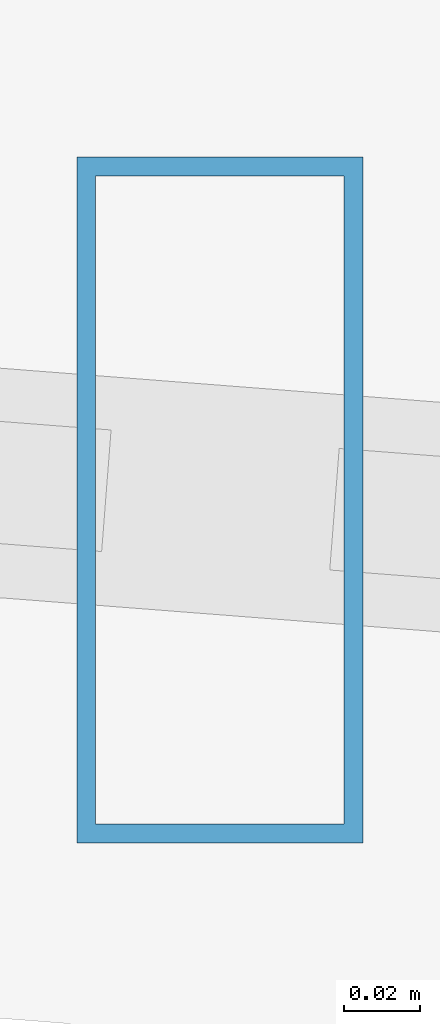
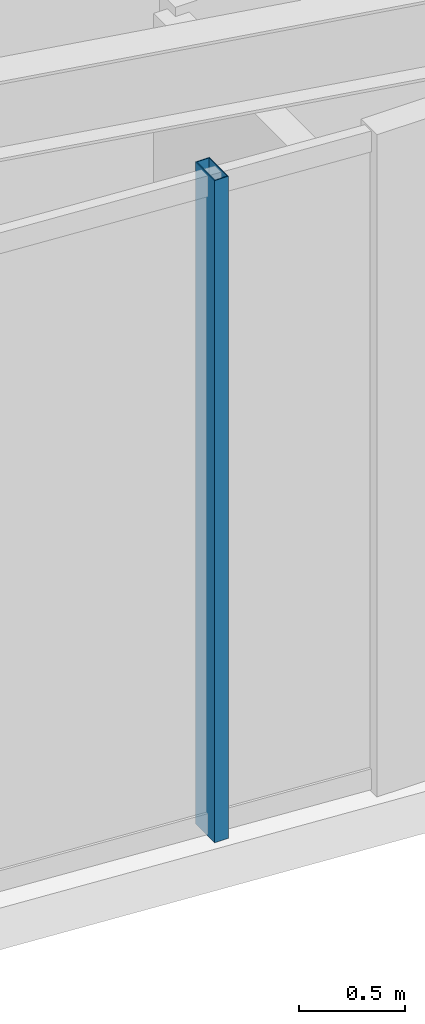
# One storey, part 2 of 29: 1 member, 1 element without a shape of its own.
"""IFC4 building model written with IfcOpenShell, lengths in metres."""

from ifc_helpers import new_model, si_unit, direction, frame, origin, origin_2d, place, context, subcontext, project, spatial, hollow_rectangle, extrude, material, layer, layer_set, material_profile, profile_set, type_object, element, aggregate, save


model = new_model("IFC4")

# Units and contexts
model_context = context("Model", 3, precision=1e-05, world=origin(), true_north=direction((0.0, 1.0)))
body_context = subcontext(model_context, "Body", "Model", "MODEL_VIEW")
ifc_project = project(units=[si_unit("LENGTHUNIT", "METRE"), si_unit("AREAUNIT", "SQUARE_METRE"), si_unit("VOLUMEUNIT", "CUBIC_METRE"), si_unit("PLANEANGLEUNIT", "RADIAN"), si_unit("MASSUNIT", "GRAM", prefix="KILO")], contexts=[model_context])

# Site, building, storey
site_placement = place(None, origin())
site = spatial("IfcSite", under=ifc_project, at=site_placement, CompositionType="ELEMENT")
building_placement = place(site_placement, origin())
building = spatial("IfcBuilding", under=site, at=building_placement, Name="Veymaron Broadcast Tower", CompositionType="ELEMENT")
storey_placement = place(building_placement, frame((0.0, 0.0, 58.050048828125)))
storey = spatial("IfcBuildingStorey", under=building, at=storey_placement, Name="L12", CompositionType="ELEMENT", Elevation=58.050048828125)

# Curtain wall, member
ifc_material_1 = material(Name="Anodised aluminium AA 6063-T6 and laminated low-E dark glass", Category="aluminium")
ifc_layer = layer(ifc_material_1, 0.179931640625)
ifc_layer_set = layer_set([ifc_layer], Name="Anodised aluminium AA 6063-T6 and laminated low-E dark glass")
curtain_wall_type = type_object("IfcCurtainWallType", Name="CW-SYS-02", PredefinedType="NOTDEFINED", material=ifc_layer_set)
curtain_wall_placement = place(storey_placement, origin())
curtain_wall = element("IfcCurtainWall", 1, at=curtain_wall_placement, inside=storey, type_object=curtain_wall_type, Name="L12 dark-glass curtain wall CW-L12-E14-1", PredefinedType="NOTDEFINED")
ifc_material_2 = material(Name="Anodised aluminium AA 6063-T6", Category="aluminium")
ifc_material_profile = material_profile(ifc_material_2, hollow_rectangle(XDim=0.074951171875, YDim=0.179931640625, WallThickness=0.0048828125, at=origin_2d()), Name="AL180X75X5")
ifc_profile_set = profile_set([ifc_material_profile], Name="Anodised aluminium AA 6063-T6")
member_type = type_object("IfcMemberType", Name="CW-MUL-02", PredefinedType="MULLION", material=ifc_profile_set)
member_placement = place(storey_placement, frame((13.186767578125, 18.62109375, 0.0), z_axis=(0.0, 0.0, 1.0), x_axis=(1.0, 0.0, 0.0)))
member = element("IfcMember", 2, at=member_placement, type_object=member_type, Name="CW-L12-E14-1 mullion 1", PredefinedType="MULLION", context=body_context, shape_type="SweptSolid", body=[
    extrude(hollow_rectangle(XDim=0.074951171875, YDim=0.179931640625, WallThickness=0.0048828125, at=origin_2d()), origin(), (0.0, 0.0, 1.0), 3.81005859375),
])
aggregate(curtain_wall, [member])

save(model, "model.ifc")
